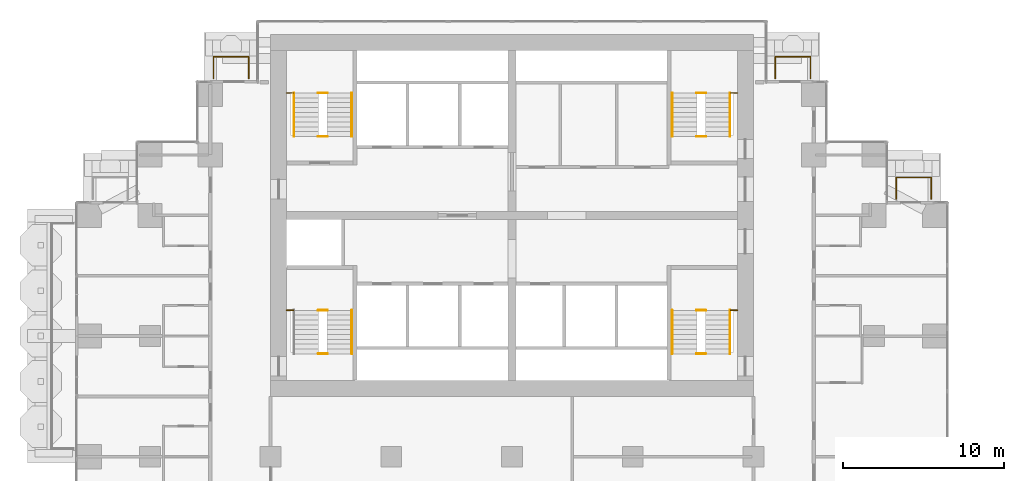
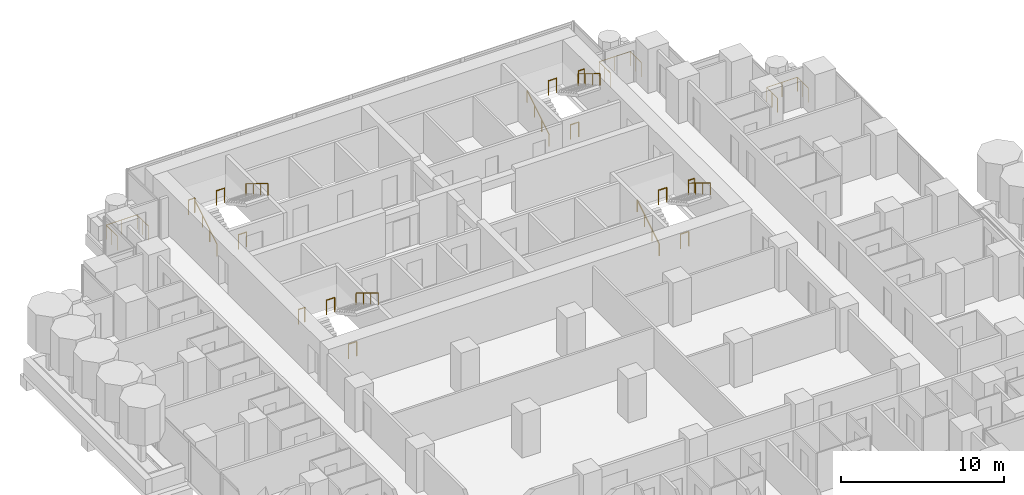
# One storey, part 18 of 19: 22 railings.
"""IFC4 building model written with IfcOpenShell, lengths in metres."""

from ifc_helpers import new_model, si_unit, direction, frame, origin, origin_2d, place, context, subcontext, project, spatial, circle, extrude, material, type_object, element, save


model = new_model("IFC4")

# Units and contexts
model_context = context("Model", 3, precision=1e-05, world=origin(), true_north=direction((0.0, 1.0)))
body_context = subcontext(model_context, "Body", "Model", "MODEL_VIEW")
ifc_project = project(units=[si_unit("LENGTHUNIT", "METRE"), si_unit("AREAUNIT", "SQUARE_METRE"), si_unit("VOLUMEUNIT", "CUBIC_METRE"), si_unit("PLANEANGLEUNIT", "RADIAN"), si_unit("MASSUNIT", "GRAM", prefix="KILO")], contexts=[model_context])

# Site, building, storey
site_placement = place(None, origin())
site = spatial("IfcSite", under=ifc_project, at=site_placement, CompositionType="ELEMENT")
building_placement = place(site_placement, origin())
building = spatial("IfcBuilding", under=site, at=building_placement, Name="Pilkhan Gate Tower", CompositionType="ELEMENT")
storey_placement = place(building_placement, frame((0.0, 0.0, 62.60009765625)))
storey = spatial("IfcBuildingStorey", under=building, at=storey_placement, Name="L13", CompositionType="ELEMENT", Elevation=62.60009765625)

# Railings
ifc_material_1 = material(Name="Pale anodised aluminium posts, laminated glass infill", Category="aluminium")
railing_type_1 = type_object("IfcRailingType", Name="Balcony guard G1", PredefinedType="BALUSTRADE", material=ifc_material_1)
for number, where, name in (
    (1, (56.449951171875, 91.0, 0.0), "Balcony guard L13 N"),
    (2, (91.35009765625, 91.0, 0.0), "Balcony guard L13 N"),
):
    element("IfcRailing", number, at=place(storey_placement, frame(where)), inside=storey, type_object=railing_type_1, Name=name, PredefinedType="BALUSTRADE", context=body_context, shape_type="SweptSolid", body=[
        extrude(circle(Radius=0.02392578125, at=origin_2d()), frame((0.0, 0.0, 1.076171875), z_axis=(0.0, 1.0, 0.0), x_axis=(-1.0, 0.0, 0.0)), (0.0, 0.0, 1.0), 1.35009765625),
        extrude(circle(Radius=0.02392578125, at=origin_2d()), frame((0.0, 1.35009765625, 1.076171875), z_axis=(1.0, 0.0, 0.0), x_axis=(0.0, 1.0, 0.0)), (0.0, 0.0, 1.0), 2.199951171875),
        extrude(circle(Radius=0.02392578125, at=origin_2d()), frame((2.199951171875, 1.35009765625, 1.076171875), z_axis=(0.0, -1.0, 0.0), x_axis=(1.0, 0.0, 0.0)), (0.0, 0.0, 1.0), 1.35009765625),
        extrude(circle(Radius=0.02099609375, at=origin_2d()), origin(), (0.0, 0.0, 1.0), 1.052001953125),
        extrude(circle(Radius=0.02099609375, at=origin_2d()), frame((0.0, 0.675048828125, 0.0)), (0.0, 0.0, 1.0), 1.052001953125),
        extrude(circle(Radius=0.02099609375, at=origin_2d()), frame((0.0, 1.35009765625, 0.0)), (0.0, 0.0, 1.0), 1.052001953125),
        extrude(circle(Radius=0.02099609375, at=origin_2d()), frame((1.10009765625, 1.35009765625, 0.0)), (0.0, 0.0, 1.0), 1.052001953125),
        extrude(circle(Radius=0.02099609375, at=origin_2d()), frame((2.199951171875, 1.35009765625, 0.0)), (0.0, 0.0, 1.0), 1.052001953125),
        extrude(circle(Radius=0.02099609375, at=origin_2d()), frame((2.199951171875, 0.675048828125, 0.0)), (0.0, 0.0, 1.0), 1.052001953125),
        extrude(circle(Radius=0.02099609375, at=origin_2d()), frame((2.199951171875, 0.0, 0.0)), (0.0, 0.0, 1.0), 1.052001953125),
    ])
railing_1_placement = place(storey_placement, frame((98.8701171875, 83.52001953125, 0.0)))
element("IfcRailing", 3, at=railing_1_placement, inside=storey, type_object=railing_type_1, Name="Balcony guard L13 N", PredefinedType="BALUSTRADE", context=body_context, shape_type="SweptSolid", body=[
    extrude(circle(Radius=0.02392578125, at=origin_2d()), frame((0.0, 0.0, 1.076171875), z_axis=(0.0, 1.0, 0.0), x_axis=(-1.0, 0.0, 0.0)), (0.0, 0.0, 1.0), 1.330078125),
    extrude(circle(Radius=0.02392578125, at=origin_2d()), frame((0.0, 1.330078125, 1.076171875), z_axis=(1.0, 0.0, 0.0), x_axis=(0.0, 1.0, 0.0)), (0.0, 0.0, 1.0), 2.179931640625),
    extrude(circle(Radius=0.02392578125, at=origin_2d()), frame((2.179931640625, 1.330078125, 1.076171875), z_axis=(0.0, -1.0, 0.0), x_axis=(1.0, 0.0, 0.0)), (0.0, 0.0, 1.0), 1.330078125),
    extrude(circle(Radius=0.02099609375, at=origin_2d()), origin(), (0.0, 0.0, 1.0), 1.052001953125),
    extrude(circle(Radius=0.02099609375, at=origin_2d()), frame((0.0, 0.6650390625, 0.0)), (0.0, 0.0, 1.0), 1.052001953125),
    extrude(circle(Radius=0.02099609375, at=origin_2d()), frame((0.0, 1.330078125, 0.0)), (0.0, 0.0, 1.0), 1.052001953125),
    extrude(circle(Radius=0.02099609375, at=origin_2d()), frame((1.08984375, 1.330078125, 0.0)), (0.0, 0.0, 1.0), 1.052001953125),
    extrude(circle(Radius=0.02099609375, at=origin_2d()), frame((2.179931640625, 1.330078125, 0.0)), (0.0, 0.0, 1.0), 1.052001953125),
    extrude(circle(Radius=0.02099609375, at=origin_2d()), frame((2.179931640625, 0.6650390625, 0.0)), (0.0, 0.0, 1.0), 1.052001953125),
    extrude(circle(Radius=0.02099609375, at=origin_2d()), frame((2.179931640625, 0.0, 0.0)), (0.0, 0.0, 1.0), 1.052001953125),
])
ifc_material_2 = material(Name="Black powder-coated steel tube", Category="steel")
railing_type_2 = type_object("IfcRailingType", Name="Stair handrail HR1", PredefinedType="HANDRAIL", material=ifc_material_2)
railing_2_placement = place(storey_placement, frame((84.949951171875, 73.89990234375, 0.0)))
element("IfcRailing", 4, at=railing_2_placement, inside=storey, type_object=railing_type_2, Name="Stair ST1 handrail L13", PredefinedType="HANDRAIL", context=body_context, shape_type="SweptSolid", body=[
    extrude(circle(Radius=0.02392578125, at=origin_2d()), frame((0.0, 0.0, 0.8759765625), z_axis=(0.0, 0.853312346642, 0.521400075823), x_axis=(-1.0, 0.0, 0.0)), (0.0, 0.0, 1.0), 3.164306640625),
    extrude(circle(Radius=0.02099609375, at=origin_2d()), origin(), (0.0, 0.0, 1.0), 0.851806640625),
    extrude(circle(Radius=0.02099609375, at=origin_2d()), frame((0.0, 0.900146484375, 0.550048828125)), (0.0, 0.0, 1.0), 0.851806640625),
    extrude(circle(Radius=0.02099609375, at=origin_2d()), frame((0.0, 1.800048828125, 1.099853515625)), (0.0, 0.0, 1.0), 0.851806640625),
    extrude(circle(Radius=0.02099609375, at=origin_2d()), frame((0.0, 2.7001953125, 1.64990234375)), (0.0, 0.0, 1.0), 0.851806640625),
])
for number, where, name in (
    (5, (88.550048828125, 76.60009765625, 1.64990234375), "Stair ST1 handrail L13"),
    (6, (65.050048828125, 76.60009765625, 1.64990234375), "Stair ST2 handrail L13"),
):
    element("IfcRailing", number, at=place(storey_placement, frame(where)), inside=storey, type_object=railing_type_2, Name=name, PredefinedType="HANDRAIL", context=body_context, shape_type="SweptSolid", body=[
        extrude(circle(Radius=0.02392578125, at=origin_2d()), frame((0.0, 0.0, 0.8759765625), z_axis=(0.0, -0.853312346642, 0.521400075823), x_axis=(1.0, 0.0, 0.0)), (0.0, 0.0, 1.0), 3.164306640625),
        extrude(circle(Radius=0.02099609375, at=origin_2d()), origin(), (0.0, 0.0, 1.0), 0.851806640625),
        extrude(circle(Radius=0.02099609375, at=origin_2d()), frame((0.0, -0.900146484375, 0.550048828125)), (0.0, 0.0, 1.0), 0.851806640625),
        extrude(circle(Radius=0.02099609375, at=origin_2d()), frame((0.0, -1.800048828125, 1.099853515625)), (0.0, 0.0, 1.0), 0.851806640625),
        extrude(circle(Radius=0.02099609375, at=origin_2d()), frame((0.0, -2.7001953125, 1.64990234375)), (0.0, 0.0, 1.0), 0.851806640625),
    ])
railing_3_placement = place(storey_placement, frame((61.449951171875, 87.39990234375, 0.0)))
element("IfcRailing", 7, at=railing_3_placement, inside=storey, type_object=railing_type_2, Name="Stair ST3 handrail L13", PredefinedType="HANDRAIL", context=body_context, shape_type="SweptSolid", body=[
    extrude(circle(Radius=0.02392578125, at=origin_2d()), frame((0.0, 0.0, 0.8759765625), z_axis=(0.0, 0.853312346642, 0.521400075823), x_axis=(-1.0, 0.0, 0.0)), (0.0, 0.0, 1.0), 3.164306640625),
    extrude(circle(Radius=0.02099609375, at=origin_2d()), origin(), (0.0, 0.0, 1.0), 0.851806640625),
    extrude(circle(Radius=0.02099609375, at=origin_2d()), frame((0.0, 0.900146484375, 0.550048828125)), (0.0, 0.0, 1.0), 0.851806640625),
    extrude(circle(Radius=0.02099609375, at=origin_2d()), frame((0.0, 1.800048828125, 1.099853515625)), (0.0, 0.0, 1.0), 0.851806640625),
    extrude(circle(Radius=0.02099609375, at=origin_2d()), frame((0.0, 2.7001953125, 1.64990234375)), (0.0, 0.0, 1.0), 0.851806640625),
])
railing_4_placement = place(storey_placement, frame((65.050048828125, 90.10009765625, 1.64990234375)))
element("IfcRailing", 8, at=railing_4_placement, inside=storey, type_object=railing_type_2, Name="Stair ST3 handrail L13", PredefinedType="HANDRAIL", context=body_context, shape_type="SweptSolid", body=[
    extrude(circle(Radius=0.02392578125, at=origin_2d()), frame((0.0, 0.0, 0.8759765625), z_axis=(0.0, -0.853312346642, 0.521400075823), x_axis=(1.0, 0.0, 0.0)), (0.0, 0.0, 1.0), 3.164306640625),
    extrude(circle(Radius=0.02099609375, at=origin_2d()), origin(), (0.0, 0.0, 1.0), 0.851806640625),
    extrude(circle(Radius=0.02099609375, at=origin_2d()), frame((0.0, -0.900146484375, 0.550048828125)), (0.0, 0.0, 1.0), 0.851806640625),
    extrude(circle(Radius=0.02099609375, at=origin_2d()), frame((0.0, -1.800048828125, 1.099853515625)), (0.0, 0.0, 1.0), 0.851806640625),
    extrude(circle(Radius=0.02099609375, at=origin_2d()), frame((0.0, -2.7001953125, 1.64990234375)), (0.0, 0.0, 1.0), 0.851806640625),
])
railing_5_placement = place(storey_placement, frame((84.949951171875, 87.39990234375, 0.0)))
element("IfcRailing", 9, at=railing_5_placement, inside=storey, type_object=railing_type_2, Name="Stair ST4 handrail L13", PredefinedType="HANDRAIL", context=body_context, shape_type="SweptSolid", body=[
    extrude(circle(Radius=0.02392578125, at=origin_2d()), frame((0.0, 0.0, 0.8759765625), z_axis=(0.0, 0.853312346642, 0.521400075823), x_axis=(-1.0, 0.0, 0.0)), (0.0, 0.0, 1.0), 3.164306640625),
    extrude(circle(Radius=0.02099609375, at=origin_2d()), origin(), (0.0, 0.0, 1.0), 0.851806640625),
    extrude(circle(Radius=0.02099609375, at=origin_2d()), frame((0.0, 0.900146484375, 0.550048828125)), (0.0, 0.0, 1.0), 0.851806640625),
    extrude(circle(Radius=0.02099609375, at=origin_2d()), frame((0.0, 1.800048828125, 1.099853515625)), (0.0, 0.0, 1.0), 0.851806640625),
    extrude(circle(Radius=0.02099609375, at=origin_2d()), frame((0.0, 2.7001953125, 1.64990234375)), (0.0, 0.0, 1.0), 0.851806640625),
])
railing_6_placement = place(storey_placement, frame((88.550048828125, 90.10009765625, 1.64990234375)))
element("IfcRailing", 10, at=railing_6_placement, inside=storey, type_object=railing_type_2, Name="Stair ST4 handrail L13", PredefinedType="HANDRAIL", context=body_context, shape_type="SweptSolid", body=[
    extrude(circle(Radius=0.02392578125, at=origin_2d()), frame((0.0, 0.0, 0.8759765625), z_axis=(0.0, -0.853312346642, 0.521400075823), x_axis=(1.0, 0.0, 0.0)), (0.0, 0.0, 1.0), 3.164306640625),
    extrude(circle(Radius=0.02099609375, at=origin_2d()), origin(), (0.0, 0.0, 1.0), 0.851806640625),
    extrude(circle(Radius=0.02099609375, at=origin_2d()), frame((0.0, -0.900146484375, 0.550048828125)), (0.0, 0.0, 1.0), 0.851806640625),
    extrude(circle(Radius=0.02099609375, at=origin_2d()), frame((0.0, -1.800048828125, 1.099853515625)), (0.0, 0.0, 1.0), 0.851806640625),
    extrude(circle(Radius=0.02099609375, at=origin_2d()), frame((0.0, -2.7001953125, 1.64990234375)), (0.0, 0.0, 1.0), 0.851806640625),
])
ifc_material_3 = material(Name="Black powder-coated steel balusters", Category="steel")
railing_type_3 = type_object("IfcRailingType", Name="Stair well guard G3", PredefinedType="GUARDRAIL", material=ifc_material_3)
railing_7_placement = place(storey_placement, frame((88.580078125, 76.60009765625, 1.64990234375)))
element("IfcRailing", 11, at=railing_7_placement, inside=storey, type_object=railing_type_3, Name="Stair ST1 well guard L13", PredefinedType="GUARDRAIL", context=body_context, shape_type="SweptSolid", body=[
    extrude(circle(Radius=0.02392578125, at=origin_2d()), frame((0.0, 0.0, 1.076171875), z_axis=(1.0, 0.0, 0.0), x_axis=(0.0, 1.0, 0.0)), (0.0, 0.0, 1.0), 0.43994140625),
    extrude(circle(Radius=0.02099609375, at=origin_2d()), origin(), (0.0, 0.0, 1.0), 1.052001953125),
    extrude(circle(Radius=0.02099609375, at=origin_2d()), frame((0.43994140625, 0.0, 0.0)), (0.0, 0.0, 1.0), 1.052001953125),
])
for number, where, name in (
    (12, (86.4599609375, 73.89990234375, 0.0), "Stair ST1 well guard L13"),
    (13, (86.4599609375, 76.60009765625, 1.64990234375), "Stair ST1 well guard L13"),
):
    element("IfcRailing", number, at=place(storey_placement, frame(where)), inside=storey, type_object=railing_type_3, Name=name, PredefinedType="GUARDRAIL", context=body_context, shape_type="SweptSolid", body=[
        extrude(circle(Radius=0.02392578125, at=origin_2d()), frame((0.0, 0.0, 1.076171875), z_axis=(1.0, 0.0, 0.0), x_axis=(0.0, 1.0, 0.0)), (0.0, 0.0, 1.0), 0.580078125),
        extrude(circle(Radius=0.02099609375, at=origin_2d()), origin(), (0.0, 0.0, 1.0), 1.052001953125),
        extrude(circle(Radius=0.02099609375, at=origin_2d()), frame((0.580078125, 0.0, 0.0)), (0.0, 0.0, 1.0), 1.052001953125),
    ])
railing_8_placement = place(storey_placement, frame((60.97998046875, 76.60009765625, 1.64990234375)))
element("IfcRailing", 14, at=railing_8_placement, inside=storey, type_object=railing_type_3, Name="Stair ST2 well guard L13", PredefinedType="GUARDRAIL", context=body_context, shape_type="SweptSolid", body=[
    extrude(circle(Radius=0.02392578125, at=origin_2d()), frame((0.0, 0.0, 1.076171875), z_axis=(1.0, 0.0, 0.0), x_axis=(0.0, 1.0, 0.0)), (0.0, 0.0, 1.0), 0.43994140625),
    extrude(circle(Radius=0.02099609375, at=origin_2d()), origin(), (0.0, 0.0, 1.0), 1.052001953125),
    extrude(circle(Radius=0.02099609375, at=origin_2d()), frame((0.43994140625, 0.0, 0.0)), (0.0, 0.0, 1.0), 1.052001953125),
])
for number, where, name in (
    (15, (62.9599609375, 73.89990234375, 0.0), "Stair ST2 well guard L13"),
    (16, (62.9599609375, 76.60009765625, 1.64990234375), "Stair ST2 well guard L13"),
):
    element("IfcRailing", number, at=place(storey_placement, frame(where)), inside=storey, type_object=railing_type_3, Name=name, PredefinedType="GUARDRAIL", context=body_context, shape_type="SweptSolid", body=[
        extrude(circle(Radius=0.02392578125, at=origin_2d()), frame((0.0, 0.0, 1.076171875), z_axis=(1.0, 0.0, 0.0), x_axis=(0.0, 1.0, 0.0)), (0.0, 0.0, 1.0), 0.580078125),
        extrude(circle(Radius=0.02099609375, at=origin_2d()), origin(), (0.0, 0.0, 1.0), 1.052001953125),
        extrude(circle(Radius=0.02099609375, at=origin_2d()), frame((0.580078125, 0.0, 0.0)), (0.0, 0.0, 1.0), 1.052001953125),
    ])
railing_9_placement = place(storey_placement, frame((60.97998046875, 90.10009765625, 1.64990234375)))
element("IfcRailing", 17, at=railing_9_placement, inside=storey, type_object=railing_type_3, Name="Stair ST3 well guard L13", PredefinedType="GUARDRAIL", context=body_context, shape_type="SweptSolid", body=[
    extrude(circle(Radius=0.02392578125, at=origin_2d()), frame((0.0, 0.0, 1.076171875), z_axis=(1.0, 0.0, 0.0), x_axis=(0.0, 1.0, 0.0)), (0.0, 0.0, 1.0), 0.43994140625),
    extrude(circle(Radius=0.02099609375, at=origin_2d()), origin(), (0.0, 0.0, 1.0), 1.052001953125),
    extrude(circle(Radius=0.02099609375, at=origin_2d()), frame((0.43994140625, 0.0, 0.0)), (0.0, 0.0, 1.0), 1.052001953125),
])
for number, where, name in (
    (18, (62.9599609375, 87.39990234375, 0.0), "Stair ST3 well guard L13"),
    (19, (62.9599609375, 90.10009765625, 1.64990234375), "Stair ST3 well guard L13"),
):
    element("IfcRailing", number, at=place(storey_placement, frame(where)), inside=storey, type_object=railing_type_3, Name=name, PredefinedType="GUARDRAIL", context=body_context, shape_type="SweptSolid", body=[
        extrude(circle(Radius=0.02392578125, at=origin_2d()), frame((0.0, 0.0, 1.076171875), z_axis=(1.0, 0.0, 0.0), x_axis=(0.0, 1.0, 0.0)), (0.0, 0.0, 1.0), 0.580078125),
        extrude(circle(Radius=0.02099609375, at=origin_2d()), origin(), (0.0, 0.0, 1.0), 1.052001953125),
        extrude(circle(Radius=0.02099609375, at=origin_2d()), frame((0.580078125, 0.0, 0.0)), (0.0, 0.0, 1.0), 1.052001953125),
    ])
railing_10_placement = place(storey_placement, frame((88.580078125, 90.10009765625, 1.64990234375)))
element("IfcRailing", 20, at=railing_10_placement, inside=storey, type_object=railing_type_3, Name="Stair ST4 well guard L13", PredefinedType="GUARDRAIL", context=body_context, shape_type="SweptSolid", body=[
    extrude(circle(Radius=0.02392578125, at=origin_2d()), frame((0.0, 0.0, 1.076171875), z_axis=(1.0, 0.0, 0.0), x_axis=(0.0, 1.0, 0.0)), (0.0, 0.0, 1.0), 0.43994140625),
    extrude(circle(Radius=0.02099609375, at=origin_2d()), origin(), (0.0, 0.0, 1.0), 1.052001953125),
    extrude(circle(Radius=0.02099609375, at=origin_2d()), frame((0.43994140625, 0.0, 0.0)), (0.0, 0.0, 1.0), 1.052001953125),
])
for number, where, name in (
    (21, (86.4599609375, 87.39990234375, 0.0), "Stair ST4 well guard L13"),
    (22, (86.4599609375, 90.10009765625, 1.64990234375), "Stair ST4 well guard L13"),
):
    element("IfcRailing", number, at=place(storey_placement, frame(where)), inside=storey, type_object=railing_type_3, Name=name, PredefinedType="GUARDRAIL", context=body_context, shape_type="SweptSolid", body=[
        extrude(circle(Radius=0.02392578125, at=origin_2d()), frame((0.0, 0.0, 1.076171875), z_axis=(1.0, 0.0, 0.0), x_axis=(0.0, 1.0, 0.0)), (0.0, 0.0, 1.0), 0.580078125),
        extrude(circle(Radius=0.02099609375, at=origin_2d()), origin(), (0.0, 0.0, 1.0), 1.052001953125),
        extrude(circle(Radius=0.02099609375, at=origin_2d()), frame((0.580078125, 0.0, 0.0)), (0.0, 0.0, 1.0), 1.052001953125),
    ])

save(model, "model.ifc")
